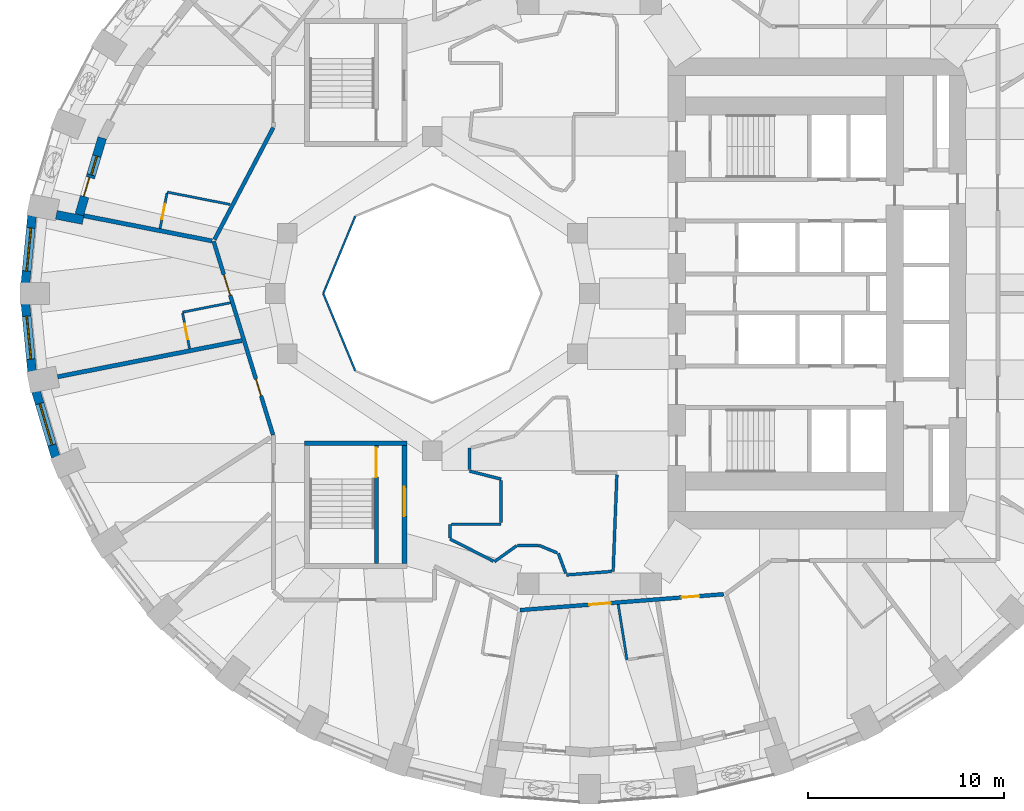
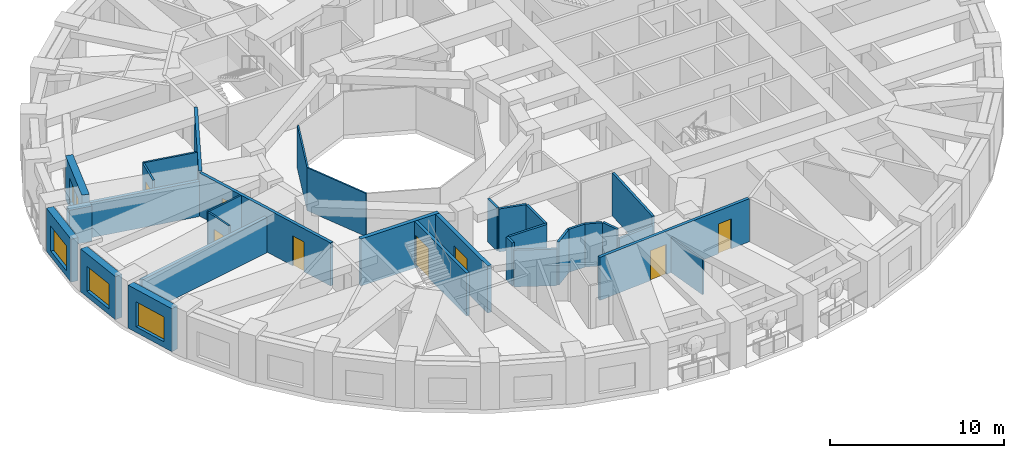
# One storey, part 4 of 13: 32 walls, 9 doors, 4 windows, 13 openings.
"""IFC4 building model written with IfcOpenShell, lengths in metres."""

from ifc_helpers import new_model, si_unit, direction, frame, frame_2d, origin, place, context, subcontext, project, spatial, rectangle, extrude, material, layer, layer_set, type_object, element, fill, save


model = new_model("IFC4")

# Units and contexts
model_context = context("Model", 3, precision=1e-05, world=origin(), true_north=direction((0.0, 1.0)))
body_context = subcontext(model_context, "Body", "Model", "MODEL_VIEW")
ifc_project = project(units=[si_unit("LENGTHUNIT", "METRE"), si_unit("AREAUNIT", "SQUARE_METRE"), si_unit("VOLUMEUNIT", "CUBIC_METRE"), si_unit("PLANEANGLEUNIT", "RADIAN"), si_unit("MASSUNIT", "GRAM", prefix="KILO")], contexts=[model_context])

# Site, building, storey
site_placement = place(None, origin())
site = spatial("IfcSite", under=ifc_project, at=site_placement, CompositionType="ELEMENT")
building_placement = place(site_placement, origin())
building = spatial("IfcBuilding", under=site, at=building_placement, Name="Taillehof Tower", CompositionType="ELEMENT")
storey_placement = place(building_placement, frame((0.0, 0.0, 38.199951171875)))
storey = spatial("IfcBuildingStorey", under=building, at=storey_placement, Name="L09", CompositionType="ELEMENT", Elevation=38.199951171875)

# Walls
ifc_material_1 = material(Name="Fire-resisting glass in steel frame", Category="steel")
ifc_layer_1 = layer(ifc_material_1, 0.10009765625)
ifc_layer_set_1 = layer_set([ifc_layer_1], Name="Atrium fire-resisting screen EI 60 100")
wall_type_1 = type_object("IfcWallType", Name="Atrium fire-resisting screen EI 60 100", PredefinedType="PARTITIONING", material=ifc_layer_set_1)
for number, where, z_axis, x_axis, name in (
    (1, (-11.92724609375, -3.92724609375, 0.0), (0.0, 0.0, 1.0), (-0.382730523909, 0.923860025149, 0.0), "Atrium screen"),
    (2, (-13.55419921875, 0.0, 0.0), (0.0, 0.0, 1.0), (0.382730523909, 0.923860025149, 0.0), "Atrium screen"),
):
    element("IfcWall", number, at=place(storey_placement, frame(where, z_axis=z_axis, x_axis=x_axis)), inside=storey, type_object=wall_type_1, Name=name, PredefinedType="PARTITIONING", context=body_context, shape_type="SweptSolid", body=[
        extrude(rectangle(XDim=4.2509765625, YDim=0.10009765625, at=frame_2d((2.12548828125, 0.0))), origin(), (0.0, 0.0, 1.0), 3.02001953125),
    ])

# Wall, opening, window
ifc_material_2 = material(Name="Brick masonry", Category="masonry")
ifc_layer_2 = layer(ifc_material_2, 0.449951171875)
ifc_layer_set_2 = layer_set([ifc_layer_2], Name="Brick infill wall 450")
wall_type_2 = type_object("IfcWallType", Name="Brick infill wall 450", PredefinedType="SOLIDWALL", material=ifc_layer_set_2)
wall_1_placement = place(storey_placement, frame((-28.38671875, 3.95556640625, 0.0), z_axis=(0.0, 0.0, 1.0), x_axis=(-0.097389581596, -0.995246336038, 0.0)))
wall_1 = element("IfcWall", 3, at=wall_1_placement, inside=storey, type_object=wall_type_2, Name="Brick wall L09 bay 18", PredefinedType="SOLIDWALL", context=body_context, shape_type="SweptSolid", body=[
    extrude(rectangle(XDim=3.44189453125, YDim=0.449951171875, at=frame_2d((1.720947265625, 0.0))), origin(), (0.0, 0.0, 1.0), 3.02001953125),
])
opening_1_placement = place(wall_1_placement, frame((0.62109375, 0.0, 0.39990234375)))
opening_1 = element("IfcOpeningElement", 4, at=opening_1_placement, cuts=wall_1, Name="Opening W1", PredefinedType="OPENING", context=body_context, shape_type="SweptSolid", body=[
    extrude(rectangle(XDim=2.199951171875, YDim=1.75, at=frame_2d((1.10009765625, 0.875))), frame((0.0, 0.23486328125, 0.0), z_axis=(0.0, -1.0, 0.0), x_axis=(1.0, 0.0, 0.0)), (0.0, 0.0, 1.0), 0.469970703125),
])
ifc_material_3 = material(Name="Aluminium window frame with clear double glazing", Category="aluminium")
window_type_1 = type_object("IfcWindowType", Name="Deep-set window 2200x1750", PartitioningType="SINGLE_PANEL", PredefinedType="WINDOW", material=ifc_material_3)
window_1_placement = place(opening_1_placement, origin())
window_1 = element("IfcWindow", 5, at=window_1_placement, inside=storey, type_object=window_type_1, Name="W1", OverallHeight=1.75, OverallWidth=2.199951171875, PartitioningType="SINGLE_PANEL", PredefinedType="WINDOW", context=body_context, shape_type="SweptSolid", body=[
    extrude(rectangle(XDim=2.199951171875, YDim=1.75, at=frame_2d((1.10009765625, 0.875))), frame((0.0, 0.034912109375, 0.0), z_axis=(0.0, -1.0, 0.0), x_axis=(1.0, 0.0, 0.0)), (0.0, 0.0, 1.0), 0.06005859375),
])
fill(opening_1, window_1)

wall_2_placement = place(storey_placement, frame((-28.721923828125, -0.530029296875, 0.0), z_axis=(0.0, 0.0, 1.0), x_axis=(0.097389581596, -0.995246336038, 0.0)))
wall_2 = element("IfcWall", 6, at=wall_2_placement, inside=storey, type_object=wall_type_2, Name="Brick wall L09 bay 19", PredefinedType="SOLIDWALL", context=body_context, shape_type="SweptSolid", body=[
    extrude(rectangle(XDim=3.44189453125, YDim=0.449951171875, at=frame_2d((1.720947265625, 0.0))), origin(), (0.0, 0.0, 1.0), 3.02001953125),
])
opening_2_placement = place(wall_2_placement, frame((0.62109375, 0.0, 0.39990234375)))
opening_2 = element("IfcOpeningElement", 7, at=opening_2_placement, cuts=wall_2, Name="Opening W1", PredefinedType="OPENING", context=body_context, shape_type="SweptSolid", body=[
    extrude(rectangle(XDim=2.199951171875, YDim=1.75, at=frame_2d((1.10009765625, 0.875))), frame((0.0, 0.23486328125, 0.0), z_axis=(0.0, -1.0, 0.0), x_axis=(1.0, 0.0, 0.0)), (0.0, 0.0, 1.0), 0.469970703125),
])
window_2_placement = place(opening_2_placement, origin())
window_2 = element("IfcWindow", 8, at=window_2_placement, inside=storey, type_object=window_type_1, Name="W1", OverallHeight=1.75, OverallWidth=2.199951171875, PartitioningType="SINGLE_PANEL", PredefinedType="WINDOW", context=body_context, shape_type="SweptSolid", body=[
    extrude(rectangle(XDim=2.199951171875, YDim=1.75, at=frame_2d((1.10009765625, 0.875))), frame((0.0, 0.034912109375, 0.0), z_axis=(0.0, -1.0, 0.0), x_axis=(1.0, 0.0, 0.0)), (0.0, 0.0, 1.0), 0.06005859375),
])
fill(opening_2, window_2)

wall_3_placement = place(storey_placement, frame((-28.181884765625, -4.995849609375, 0.0), z_axis=(0.0, 0.0, 1.0), x_axis=(0.287064133733, -0.957911364963, 0.0)))
wall_3 = element("IfcWall", 9, at=wall_3_placement, inside=storey, type_object=wall_type_2, Name="Brick wall L09 bay 20", PredefinedType="SOLIDWALL", context=body_context, shape_type="SweptSolid", body=[
    extrude(rectangle(XDim=3.473388671875, YDim=0.449951171875, at=frame_2d((1.73681640625, 0.0))), origin(), (0.0, 0.0, 1.0), 3.02001953125),
])
opening_3_placement = place(wall_3_placement, frame((0.63671875, 0.0, 0.39990234375)))
opening_3 = element("IfcOpeningElement", 10, at=opening_3_placement, cuts=wall_3, Name="Opening W1", PredefinedType="OPENING", context=body_context, shape_type="SweptSolid", body=[
    extrude(rectangle(XDim=2.199951171875, YDim=1.75, at=frame_2d((1.10009765625, 0.875))), frame((0.0, 0.23486328125, 0.0), z_axis=(0.0, -1.0, 0.0), x_axis=(1.0, 0.0, 0.0)), (0.0, 0.0, 1.0), 0.469970703125),
])
window_3_placement = place(opening_3_placement, origin())
window_3 = element("IfcWindow", 11, at=window_3_placement, inside=storey, type_object=window_type_1, Name="W1", OverallHeight=1.75, OverallWidth=2.199951171875, PartitioningType="SINGLE_PANEL", PredefinedType="WINDOW", context=body_context, shape_type="SweptSolid", body=[
    extrude(rectangle(XDim=2.199951171875, YDim=1.75, at=frame_2d((1.10009765625, 0.875))), frame((0.0, 0.034912109375, 0.0), z_axis=(0.0, -1.0, 0.0), x_axis=(1.0, 0.0, 0.0)), (0.0, 0.0, 1.0), 0.06005859375),
])
fill(opening_3, window_3)

# Wall
wall_4_placement = place(storey_placement, frame((-27.15087890625, 4.008544921875, 0.0), z_axis=(0.0, 0.0, 1.0), x_axis=(0.981197182729, -0.1930080014, 0.0)))
element("IfcWall", 12, at=wall_4_placement, inside=storey, type_object=wall_type_2, Name="Brick reveal L09 pocket 4", PredefinedType="SOLIDWALL", context=body_context, shape_type="SweptSolid", body=[
    extrude(rectangle(XDim=1.39013671875, YDim=0.449951171875, at=frame_2d((0.695068359375, 0.0))), origin(), (0.0, 0.0, 1.0), 2.469970703125),
])

# Wall, openings, door, window
wall_5_placement = place(storey_placement, frame((-24.811767578125, 7.92529296875, 0.0), z_axis=(0.0, 0.0, 1.0), x_axis=(-0.286389028326, -0.95811341941, 0.0)))
wall_5 = element("IfcWall", 13, at=wall_5_placement, inside=storey, type_object=wall_type_2, Name="Brick wall L09 pocket bay 17", PredefinedType="SOLIDWALL", context=body_context, shape_type="SweptSolid", body=[
    extrude(rectangle(XDim=4.08837890625, YDim=0.449951171875, at=frame_2d((2.044189453125, 0.0))), origin(), (0.0, 0.0, 1.0), 3.02001953125),
])
opening_4_placement = place(wall_5_placement, frame((0.96923828125, 0.0, 0.39990234375)))
opening_4 = element("IfcOpeningElement", 14, at=opening_4_placement, cuts=wall_5, Name="Opening W5", PredefinedType="OPENING", context=body_context, shape_type="SweptSolid", body=[
    extrude(rectangle(XDim=1.0, YDim=1.75, at=frame_2d((0.5, 0.875))), frame((0.0, 0.23486328125, 0.0), z_axis=(0.0, -1.0, 0.0), x_axis=(1.0, 0.0, 0.0)), (0.0, 0.0, 1.0), 0.469970703125),
])
opening_5_placement = place(wall_5_placement, frame((2.119140625, 0.0, 0.0)))
opening_5 = element("IfcOpeningElement", 15, at=opening_5_placement, cuts=wall_5, Name="Opening D0993", PredefinedType="OPENING", context=body_context, shape_type="SweptSolid", body=[
    extrude(rectangle(XDim=1.0, YDim=2.14990234375, at=frame_2d((0.5, 1.074951171875))), frame((0.0, 0.23486328125, 0.0), z_axis=(0.0, -1.0, 0.0), x_axis=(1.0, 0.0, 0.0)), (0.0, 0.0, 1.0), 0.469970703125),
])
ifc_material_4 = material(Name="Aluminium door frame with clear double glazing", Category="aluminium")
door_type_1 = type_object("IfcDoorType", Name="Balcony door 1000x2150", OperationType="SINGLE_SWING_RIGHT", PredefinedType="DOOR", material=ifc_material_4)
door_1_placement = place(opening_5_placement, frame((1.0, 0.0, 0.0), z_axis=(0.0, 0.0, 1.0), x_axis=(-1.0, 0.0, 0.0)))
door_1 = element("IfcDoor", 16, at=door_1_placement, inside=storey, type_object=door_type_1, Name="Balcony door L09 bay 17", OperationType="SINGLE_SWING_LEFT", OverallHeight=2.14990234375, OverallWidth=1.0, PredefinedType="DOOR", context=body_context, shape_type="SweptSolid", body=[
    extrude(rectangle(XDim=1.0, YDim=2.14990234375, at=frame_2d((0.5, 1.074951171875))), frame((0.0, 0.0751953125, 0.0), z_axis=(0.0, -1.0, 0.0), x_axis=(1.0, 0.0, 0.0)), (0.0, 0.0, 1.0), 0.050048828125),
])
fill(opening_5, door_1)
ifc_material_5 = material(Name="Aluminium window frame with clear double glazing", Category="aluminium")
window_type_2 = type_object("IfcWindowType", Name="Fixed window 1000x1750", PartitioningType="SINGLE_PANEL", PredefinedType="WINDOW", material=ifc_material_5)
window_4_placement = place(opening_4_placement, origin())
window_4 = element("IfcWindow", 17, at=window_4_placement, inside=storey, type_object=window_type_2, Name="W5", OverallHeight=1.75, OverallWidth=1.0, PartitioningType="SINGLE_PANEL", PredefinedType="WINDOW", context=body_context, shape_type="SweptSolid", body=[
    extrude(rectangle(XDim=1.0, YDim=1.75, at=frame_2d((0.5, 0.875))), frame((0.0, 0.034912109375, 0.0), z_axis=(0.0, -1.0, 0.0), x_axis=(1.0, 0.0, 0.0)), (0.0, 0.0, 1.0), 0.06005859375),
])
fill(opening_4, window_4)

# Wall, openings, doors
ifc_material_6 = material(Name="Gypsum board on steel studs, two layers each side", Category="steel")
ifc_layer_3 = layer(ifc_material_6, 0.199951171875)
ifc_layer_set_3 = layer_set([ifc_layer_3], Name="Compartment wall corridor 200")
wall_type_3 = type_object("IfcWallType", Name="Compartment wall corridor 200", PredefinedType="PARTITIONING", material=ifc_layer_set_3)
wall_6_placement = place(storey_placement, frame((6.84033203125, -15.31298828125, 0.0), z_axis=(0.0, 0.0, 1.0), x_axis=(-0.996968882229, -0.077801335898, 0.0)))
wall_6 = element("IfcWall", 18, at=wall_6_placement, inside=storey, type_object=wall_type_3, Name="Compartment wall", PredefinedType="PARTITIONING", context=body_context, shape_type="SweptSolid", body=[
    extrude(rectangle(XDim=10.40869140625, YDim=0.199951171875, at=frame_2d((5.204345703125, 0.0))), origin(), (0.0, 0.0, 1.0), 3.02001953125),
])
opening_6_placement = place(wall_6_placement, frame((5.7734375, 0.0, 0.0)))
opening_6 = element("IfcOpeningElement", 19, at=opening_6_placement, cuts=wall_6, Name="Opening D0957", PredefinedType="OPENING", context=body_context, shape_type="SweptSolid", body=[
    extrude(rectangle(XDim=1.10009765625, YDim=2.10009765625, at=frame_2d((0.550048828125, 1.050048828125))), frame((0.0, 0.10986328125, 0.0), z_axis=(0.0, -1.0, 0.0), x_axis=(1.0, 0.0, 0.0)), (0.0, 0.0, 1.0), 0.219970703125),
])
opening_7_placement = place(wall_6_placement, frame((1.255126953125, 0.0, 0.0)))
opening_7 = element("IfcOpeningElement", 20, at=opening_7_placement, cuts=wall_6, Name="Opening D0959", PredefinedType="OPENING", context=body_context, shape_type="SweptSolid", body=[
    extrude(rectangle(XDim=0.89990234375, YDim=2.10009765625, at=frame_2d((0.449951171875, 1.050048828125))), frame((0.0, 0.10986328125, 0.0), z_axis=(0.0, -1.0, 0.0), x_axis=(1.0, 0.0, 0.0)), (0.0, 0.0, 1.0), 0.219970703125),
])
ifc_material_7 = material(Name="Timber door leaf in steel frame", Category="steel")
door_type_2 = type_object("IfcDoorType", Name="Service room door EI 30 900 x 2100", OperationType="SINGLE_SWING_LEFT", PredefinedType="DOOR", material=ifc_material_7)
door_2_placement = place(opening_7_placement, origin())
door_2 = element("IfcDoor", 21, at=door_2_placement, inside=storey, type_object=door_type_2, Name="D0959", OperationType="SINGLE_SWING_RIGHT", OverallHeight=2.10009765625, OverallWidth=0.89990234375, PredefinedType="DOOR", context=body_context, shape_type="SweptSolid", body=[
    extrude(rectangle(XDim=0.89990234375, YDim=2.10009765625, at=frame_2d((0.449951171875, 1.050048828125))), frame((0.0, 0.02490234375, 0.0), z_axis=(0.0, -1.0, 0.0), x_axis=(1.0, 0.0, 0.0)), (0.0, 0.0, 1.0), 0.050048828125),
])
fill(opening_7, door_2)
ifc_material_8 = material(Name="Timber door leaf in steel frame", Category="steel")
door_type_3 = type_object("IfcDoorType", Name="Suite entrance door EI 30 1100 x 2100", OperationType="SINGLE_SWING_LEFT", PredefinedType="DOOR", material=ifc_material_8)
door_3_placement = place(opening_6_placement, origin())
door_3 = element("IfcDoor", 22, at=door_3_placement, inside=storey, type_object=door_type_3, Name="D0957", OperationType="SINGLE_SWING_LEFT", OverallHeight=2.10009765625, OverallWidth=1.10009765625, PredefinedType="DOOR", context=body_context, shape_type="SweptSolid", body=[
    extrude(rectangle(XDim=1.10009765625, YDim=2.10009765625, at=frame_2d((0.550048828125, 1.050048828125))), frame((0.0, 0.02490234375, 0.0), z_axis=(0.0, -1.0, 0.0), x_axis=(1.0, 0.0, 0.0)), (0.0, 0.0, 1.0), 0.050048828125),
])
fill(opening_6, door_3)

wall_7_placement = place(storey_placement, frame((-16.11181640625, -7.20263671875, 0.0), z_axis=(0.0, 0.0, 1.0), x_axis=(-0.293439067289, 0.95597777892, 0.0)))
wall_7 = element("IfcWall", 23, at=wall_7_placement, inside=storey, type_object=wall_type_3, Name="Compartment wall", PredefinedType="PARTITIONING", context=body_context, shape_type="SweptSolid", body=[
    extrude(rectangle(XDim=10.3193359375, YDim=0.199951171875, at=frame_2d((5.15966796875, 0.0))), origin(), (0.0, 0.0, 1.0), 3.02001953125),
])
opening_8_placement = place(wall_7_placement, frame((7.4443359375, 0.0, 0.0)))
opening_8 = element("IfcOpeningElement", 24, at=opening_8_placement, cuts=wall_7, Name="Opening D0950", PredefinedType="OPENING", context=body_context, shape_type="SweptSolid", body=[
    extrude(rectangle(XDim=1.10009765625, YDim=2.10009765625, at=frame_2d((0.550048828125, 1.050048828125))), frame((0.0, 0.10986328125, 0.0), z_axis=(0.0, -1.0, 0.0), x_axis=(1.0, 0.0, 0.0)), (0.0, 0.0, 1.0), 0.219970703125),
])
opening_9_placement = place(wall_7_placement, frame((2.080810546875, 0.0, 0.0)))
opening_9 = element("IfcOpeningElement", 25, at=opening_9_placement, cuts=wall_7, Name="Opening D0952", PredefinedType="OPENING", context=body_context, shape_type="SweptSolid", body=[
    extrude(rectangle(XDim=0.89990234375, YDim=2.10009765625, at=frame_2d((0.449951171875, 1.050048828125))), frame((0.0, 0.10986328125, 0.0), z_axis=(0.0, -1.0, 0.0), x_axis=(1.0, 0.0, 0.0)), (0.0, 0.0, 1.0), 0.219970703125),
])
door_4_placement = place(opening_9_placement, origin())
door_4 = element("IfcDoor", 26, at=door_4_placement, inside=storey, type_object=door_type_2, Name="D0952", OperationType="SINGLE_SWING_LEFT", OverallHeight=2.10009765625, OverallWidth=0.89990234375, PredefinedType="DOOR", context=body_context, shape_type="SweptSolid", body=[
    extrude(rectangle(XDim=0.89990234375, YDim=2.10009765625, at=frame_2d((0.449951171875, 1.050048828125))), frame((0.0, 0.02490234375, 0.0), z_axis=(0.0, -1.0, 0.0), x_axis=(1.0, 0.0, 0.0)), (0.0, 0.0, 1.0), 0.050048828125),
])
fill(opening_9, door_4)
door_5_placement = place(opening_8_placement, origin())
door_5 = element("IfcDoor", 27, at=door_5_placement, inside=storey, type_object=door_type_3, Name="D0950", OperationType="SINGLE_SWING_LEFT", OverallHeight=2.10009765625, OverallWidth=1.10009765625, PredefinedType="DOOR", context=body_context, shape_type="SweptSolid", body=[
    extrude(rectangle(XDim=1.10009765625, YDim=2.10009765625, at=frame_2d((0.550048828125, 1.050048828125))), frame((0.0, 0.02490234375, 0.0), z_axis=(0.0, -1.0, 0.0), x_axis=(1.0, 0.0, 0.0)), (0.0, 0.0, 1.0), 0.050048828125),
])
fill(opening_8, door_5)

# Walls
wall_8_placement = place(storey_placement, frame((-19.093505859375, 2.75146484375, 0.0), z_axis=(0.0, 0.0, 1.0), x_axis=(0.464994434802, 0.88531360297, 0.0)))
element("IfcWall", 28, at=wall_8_placement, inside=storey, type_object=wall_type_3, Name="Compartment wall", PredefinedType="PARTITIONING", context=body_context, shape_type="SweptSolid", body=[
    extrude(rectangle(XDim=6.4375, YDim=0.199951171875, at=frame_2d((3.21875, 0.0))), origin(), (0.0, 0.0, 1.0), 3.02001953125),
])
ifc_material_9 = material(Name="Gypsum board on double steel studs with mineral wool", Category="steel")
ifc_layer_4 = layer(ifc_material_9, 0.219970703125)
ifc_layer_set_4 = layer_set([ifc_layer_4], Name="Compartment wall guest room 220")
wall_type_4 = type_object("IfcWallType", Name="Compartment wall guest room 220", PredefinedType="PARTITIONING", material=ifc_layer_set_4)
wall_9_placement = place(storey_placement, frame((-25.760986328125, 3.96435546875, 0.0), z_axis=(0.0, 0.0, 1.0), x_axis=(0.981216162043, -0.192911490963, 0.0)))
element("IfcWall", 29, at=wall_9_placement, inside=storey, type_object=wall_type_4, Name="Compartment wall", PredefinedType="PARTITIONING", context=body_context, shape_type="SweptSolid", body=[
    extrude(rectangle(XDim=6.668212890625, YDim=0.219970703125, at=frame_2d((3.333984375, 0.0))), origin(), (0.0, 0.0, 1.0), 2.469970703125),
])
wall_10_placement = place(storey_placement, frame((-27.0849609375, -4.239990234375, 0.0), z_axis=(0.0, 0.0, 1.0), x_axis=(0.981199931552, 0.192994026651, 0.0)))
element("IfcWall", 30, at=wall_10_placement, inside=storey, type_object=wall_type_4, Name="Compartment wall", PredefinedType="PARTITIONING", context=body_context, shape_type="SweptSolid", body=[
    extrude(rectangle(XDim=9.55224609375, YDim=0.219970703125, at=frame_2d((4.776123046875, 0.0))), origin(), (0.0, 0.0, 1.0), 2.469970703125),
])
ifc_material_10 = material(Name="Gypsum board on steel studs, two layers each side", Category="steel")
ifc_layer_5 = layer(ifc_material_10, 0.14990234375)
ifc_layer_set_5 = layer_set([ifc_layer_5], Name="Compartment wall service room 150")
wall_type_5 = type_object("IfcWallType", Name="Compartment wall service room 150", PredefinedType="PARTITIONING", material=ifc_layer_set_5)
wall_11_placement = place(storey_placement, frame((-4.5, -9.449951171875, 0.0), z_axis=(0.0, 0.0, 1.0), x_axis=(-0.9698567074, 0.24367594693, 0.0)))
element("IfcWall", 31, at=wall_11_placement, inside=storey, type_object=wall_type_5, Name="Compartment wall", PredefinedType="PARTITIONING", context=body_context, shape_type="SweptSolid", body=[
    extrude(rectangle(XDim=1.662109375, YDim=0.14990234375, at=frame_2d((0.8310546875, 0.0))), origin(), (0.0, 0.0, 1.0), 3.02001953125),
])
wall_12_placement = place(storey_placement, frame((-6.111083984375, -8.96484375, 0.0), z_axis=(0.0, 0.0, 1.0), x_axis=(0.010095962879, 0.999949034468, 0.0)))
element("IfcWall", 32, at=wall_12_placement, inside=storey, type_object=wall_type_5, Name="Compartment wall", PredefinedType="PARTITIONING", context=body_context, shape_type="SweptSolid", body=[
    extrude(rectangle(XDim=1.088134765625, YDim=0.14990234375, at=frame_2d((0.5439453125, 0.0))), origin(), (0.0, 0.0, 1.0), 3.02001953125),
])
wall_13_placement = place(storey_placement, frame((1.39697265625, -9.22998046875, 0.0), z_axis=(0.0, 0.0, 1.0), x_axis=(-0.038741742932, -0.99924925687, 0.0)))
element("IfcWall", 33, at=wall_13_placement, inside=storey, type_object=wall_type_5, Name="Compartment wall", PredefinedType="PARTITIONING", context=body_context, shape_type="SweptSolid", body=[
    extrude(rectangle(XDim=4.921630859375, YDim=0.14990234375, at=frame_2d((2.4609375, 0.0))), origin(), (0.0, 0.0, 1.0), 3.02001953125),
])
wall_14_placement = place(storey_placement, frame((1.126220703125, -14.15380859375, 0.0), z_axis=(0.0, 0.0, 1.0), x_axis=(-0.996959190057, -0.077925434624, 0.0)))
element("IfcWall", 34, at=wall_14_placement, inside=storey, type_object=wall_type_5, Name="Compartment wall", PredefinedType="PARTITIONING", context=body_context, shape_type="SweptSolid", body=[
    extrude(rectangle(XDim=2.30908203125, YDim=0.14990234375, at=frame_2d((1.154541015625, 0.0))), origin(), (0.0, 0.0, 1.0), 2.420166015625),
])
wall_15_placement = place(storey_placement, frame((-1.2041015625, -14.258544921875, 0.0), z_axis=(0.0, 0.0, 1.0), x_axis=(-0.348483202919, 0.937315025636, 0.0)))
element("IfcWall", 35, at=wall_15_placement, inside=storey, type_object=wall_type_5, Name="Compartment wall", PredefinedType="PARTITIONING", context=body_context, shape_type="SweptSolid", body=[
    extrude(rectangle(XDim=1.094970703125, YDim=0.14990234375, at=frame_2d((0.54736328125, 0.0))), origin(), (0.0, 0.0, 1.0), 3.02001953125),
])
wall_16_placement = place(storey_placement, frame((-1.641357421875, -13.20947265625, 0.0), z_axis=(0.0, 0.0, 1.0), x_axis=(-0.923725449546, 0.383055209937, 0.0)))
element("IfcWall", 36, at=wall_16_placement, inside=storey, type_object=wall_type_5, Name="Compartment wall", PredefinedType="PARTITIONING", context=body_context, shape_type="SweptSolid", body=[
    extrude(rectangle(XDim=1.011474609375, YDim=0.14990234375, at=frame_2d((0.505859375, 0.0))), origin(), (0.0, 0.0, 1.0), 3.02001953125),
])
wall_17_placement = place(storey_placement, frame((-2.595703125, -12.822021484375, 0.0), z_axis=(0.0, 0.0, 1.0), x_axis=(-1.0, 0.0, 0.0)))
element("IfcWall", 37, at=wall_17_placement, inside=storey, type_object=wall_type_5, Name="Compartment wall", PredefinedType="PARTITIONING", context=body_context, shape_type="SweptSolid", body=[
    extrude(rectangle(XDim=1.080078125, YDim=0.14990234375, at=frame_2d((0.5400390625, 0.0))), origin(), (0.0, 0.0, 1.0), 3.02001953125),
])
wall_18_placement = place(storey_placement, frame((-3.70849609375, -12.845458984375, 0.0), z_axis=(0.0, 0.0, 1.0), x_axis=(-0.812857190658, -0.58246303539, 0.0)))
element("IfcWall", 38, at=wall_18_placement, inside=storey, type_object=wall_type_5, Name="Compartment wall", PredefinedType="PARTITIONING", context=body_context, shape_type="SweptSolid", body=[
    extrude(rectangle(XDim=1.39453125, YDim=0.14990234375, at=frame_2d((0.697265625, 0.0))), origin(), (0.0, 0.0, 1.0), 3.02001953125),
])
wall_19_placement = place(storey_placement, frame((-4.8955078125, -13.630615234375, 0.0), z_axis=(0.0, 0.0, 1.0), x_axis=(-0.890208185307, 0.455553934032, 0.0)))
element("IfcWall", 39, at=wall_19_placement, inside=storey, type_object=wall_type_5, Name="Compartment wall", PredefinedType="PARTITIONING", context=body_context, shape_type="SweptSolid", body=[
    extrude(rectangle(XDim=2.4765625, YDim=0.14990234375, at=frame_2d((1.23828125, 0.0))), origin(), (0.0, 0.0, 1.0), 2.570068359375),
])
wall_20_placement = place(storey_placement, frame((-7.10009765625, -12.4423828125, 0.0), z_axis=(0.0, 0.0, 1.0), x_axis=(0.0, 1.0, 0.0)))
element("IfcWall", 40, at=wall_20_placement, inside=storey, type_object=wall_type_5, Name="Compartment wall", PredefinedType="PARTITIONING", context=body_context, shape_type="SweptSolid", body=[
    extrude(rectangle(XDim=0.6923828125, YDim=0.14990234375, at=frame_2d((0.34619140625, 0.0))), origin(), (0.0, 0.0, 1.0), 3.02001953125),
])
wall_21_placement = place(storey_placement, frame((-7.02001953125, -11.75, 0.0), z_axis=(0.0, 0.0, 1.0), x_axis=(1.0, 0.0, 0.0)))
element("IfcWall", 41, at=wall_21_placement, inside=storey, type_object=wall_type_5, Name="Compartment wall", PredefinedType="PARTITIONING", context=body_context, shape_type="SweptSolid", body=[
    extrude(rectangle(XDim=2.52001953125, YDim=0.14990234375, at=frame_2d((1.260009765625, 0.0))), origin(), (0.0, 0.0, 1.0), 3.02001953125),
])
wall_22_placement = place(storey_placement, frame((-4.5, -11.669921875, 0.0), z_axis=(0.0, 0.0, 1.0), x_axis=(0.0, 1.0, 0.0)))
element("IfcWall", 42, at=wall_22_placement, inside=storey, type_object=wall_type_5, Name="Compartment wall", PredefinedType="PARTITIONING", context=body_context, shape_type="SweptSolid", body=[
    extrude(rectangle(XDim=2.139892578125, YDim=0.14990234375, at=frame_2d((1.06982421875, 0.0))), origin(), (0.0, 0.0, 1.0), 3.02001953125),
])
ifc_material_11 = material(Name="Gypsum board on steel studs, moisture resistant", Category="steel")
ifc_layer_6 = layer(ifc_material_11, 0.1201171875)
ifc_layer_set_6 = layer_set([ifc_layer_6], Name="En-suite wall 120")
wall_type_6 = type_object("IfcWallType", Name="En-suite wall 120", PredefinedType="PARTITIONING", material=ifc_layer_set_6)
wall_23_placement = place(storey_placement, frame((-18.29150390625, 4.53369140625, 0.0), z_axis=(0.0, 0.0, 1.0), x_axis=(-0.981198627208, 0.193000657942, 0.0)))
element("IfcWall", 43, at=wall_23_placement, inside=storey, type_object=wall_type_6, Name="En-suite wall", PredefinedType="PARTITIONING", context=body_context, shape_type="SweptSolid", body=[
    extrude(rectangle(XDim=3.271240234375, YDim=0.1201171875, at=frame_2d((1.6357421875, 0.0))), origin(), (0.0, 0.0, 1.0), 3.02001953125),
])
wall_24_placement = place(storey_placement, frame((-18.282958984375, -0.470458984375, 0.0), z_axis=(0.0, 0.0, 1.0), x_axis=(-0.981208753495, -0.192949169643, 0.0)))
element("IfcWall", 44, at=wall_24_placement, inside=storey, type_object=wall_type_6, Name="En-suite wall", PredefinedType="PARTITIONING", context=body_context, shape_type="SweptSolid", body=[
    extrude(rectangle(XDim=2.491455078125, YDim=0.1201171875, at=frame_2d((1.24560546875, 0.0))), origin(), (0.0, 0.0, 1.0), 3.02001953125),
])
wall_25_placement = place(storey_placement, frame((1.466064453125, -15.8330078125, 0.0), z_axis=(0.0, 0.0, 1.0), x_axis=(0.156164367571, -0.987731081976, 0.0)))
element("IfcWall", 45, at=wall_25_placement, inside=storey, type_object=wall_type_6, Name="En-suite wall", PredefinedType="PARTITIONING", context=body_context, shape_type="SweptSolid", body=[
    extrude(rectangle(XDim=2.85791015625, YDim=0.1201171875, at=frame_2d((1.428955078125, 0.0))), origin(), (0.0, 0.0, 1.0), 2.469970703125),
])

# Wall, opening, door
wall_26_placement = place(storey_placement, frame((-21.512939453125, 5.1064453125, 0.0), z_axis=(0.0, 0.0, 1.0), x_axis=(-0.19288291118, -0.981221780524, 0.0)))
wall_26 = element("IfcWall", 46, at=wall_26_placement, inside=storey, type_object=wall_type_6, Name="En-suite wall", PredefinedType="PARTITIONING", context=body_context, shape_type="SweptSolid", body=[
    extrude(rectangle(XDim=1.830322265625, YDim=0.1201171875, at=frame_2d((0.9150390625, 0.0))), origin(), (0.0, 0.0, 1.0), 3.02001953125),
])
opening_10_placement = place(wall_26_placement, frame((0.540283203125, 0.0, 0.0)))
opening_10 = element("IfcOpeningElement", 47, at=opening_10_placement, cuts=wall_26, Name="Opening D0949", PredefinedType="OPENING", context=body_context, shape_type="SweptSolid", body=[
    extrude(rectangle(XDim=0.800048828125, YDim=2.10009765625, at=frame_2d((0.39990234375, 1.050048828125))), frame((0.0, 0.070068359375, 0.0), z_axis=(0.0, -1.0, 0.0), x_axis=(1.0, 0.0, 0.0)), (0.0, 0.0, 1.0), 0.14013671875),
])
ifc_material_12 = material(Name="Timber door leaf in steel frame", Category="steel")
door_type_4 = type_object("IfcDoorType", Name="En-suite door 800 x 2100", OperationType="SINGLE_SWING_LEFT", PredefinedType="DOOR", material=ifc_material_12)
door_6_placement = place(opening_10_placement, origin())
door_6 = element("IfcDoor", 48, at=door_6_placement, inside=storey, type_object=door_type_4, Name="D0949", OperationType="SINGLE_SWING_LEFT", OverallHeight=2.10009765625, OverallWidth=0.800048828125, PredefinedType="DOOR", context=body_context, shape_type="SweptSolid", body=[
    extrude(rectangle(XDim=0.800048828125, YDim=2.10009765625, at=frame_2d((0.39990234375, 1.050048828125))), frame((0.0, 0.02490234375, 0.0), z_axis=(0.0, -1.0, 0.0), x_axis=(1.0, 0.0, 0.0)), (0.0, 0.0, 1.0), 0.050048828125),
])
fill(opening_10, door_6)

wall_27_placement = place(storey_placement, frame((-20.716064453125, -1.010009765625, 0.0), z_axis=(0.0, 0.0, 1.0), x_axis=(0.193036598643, -0.981191557029, 0.0)))
wall_27 = element("IfcWall", 49, at=wall_27_placement, inside=storey, type_object=wall_type_6, Name="En-suite wall", PredefinedType="PARTITIONING", context=body_context, shape_type="SweptSolid", body=[
    extrude(rectangle(XDim=1.830078125, YDim=0.1201171875, at=frame_2d((0.9150390625, 0.0))), origin(), (0.0, 0.0, 1.0), 3.02001953125),
])
opening_11_placement = place(wall_27_placement, frame((0.5400390625, 0.0, 0.0)))
opening_11 = element("IfcOpeningElement", 50, at=opening_11_placement, cuts=wall_27, Name="Opening D0951", PredefinedType="OPENING", context=body_context, shape_type="SweptSolid", body=[
    extrude(rectangle(XDim=0.800048828125, YDim=2.10009765625, at=frame_2d((0.39990234375, 1.050048828125))), frame((0.0, 0.070068359375, 0.0), z_axis=(0.0, -1.0, 0.0), x_axis=(1.0, 0.0, 0.0)), (0.0, 0.0, 1.0), 0.14013671875),
])
door_7_placement = place(opening_11_placement, origin())
door_7 = element("IfcDoor", 51, at=door_7_placement, inside=storey, type_object=door_type_4, Name="D0951", OperationType="SINGLE_SWING_LEFT", OverallHeight=2.10009765625, OverallWidth=0.800048828125, PredefinedType="DOOR", context=body_context, shape_type="SweptSolid", body=[
    extrude(rectangle(XDim=0.800048828125, YDim=2.10009765625, at=frame_2d((0.39990234375, 1.050048828125))), frame((0.0, 0.02490234375, 0.0), z_axis=(0.0, -1.0, 0.0), x_axis=(1.0, 0.0, 0.0)), (0.0, 0.0, 1.0), 0.050048828125),
])
fill(opening_11, door_7)

ifc_material_13 = material(Name="Concrete C50/60", Category="concrete")
ifc_layer_7 = layer(ifc_material_13, 0.199951171875)
ifc_layer_set_7 = layer_set([ifc_layer_7], Name="Shaft wall C50/60 200")
wall_type_7 = type_object("IfcWallType", Name="Shaft wall C50/60 200", PredefinedType="SHEAR", material=ifc_layer_set_7)
wall_28_placement = place(storey_placement, frame((-10.85009765625, -13.75, 0.0), z_axis=(0.0, 0.0, 1.0), x_axis=(0.0, 1.0, 0.0)))
wall_28 = element("IfcWall", 52, at=wall_28_placement, inside=storey, type_object=wall_type_7, Name="Shaft wall SW", PredefinedType="SHEAR", context=body_context, shape_type="SweptSolid", body=[
    extrude(rectangle(XDim=6.0, YDim=0.199951171875, at=frame_2d((3.0, 0.0))), origin(), (0.0, 0.0, 1.0), 3.02001953125),
])
opening_12_placement = place(wall_28_placement, frame((4.39990234375, 0.0, 0.0)))
opening_12 = element("IfcOpeningElement", 53, at=opening_12_placement, cuts=wall_28, Name="Opening D0913", PredefinedType="OPENING", context=body_context, shape_type="SweptSolid", body=[
    extrude(rectangle(XDim=1.5, YDim=2.10009765625, at=frame_2d((0.75, 1.050048828125))), frame((0.0, 0.10986328125, 0.0), z_axis=(0.0, -1.0, 0.0), x_axis=(1.0, 0.0, 0.0)), (0.0, 0.0, 1.0), 0.219970703125),
])
ifc_material_14 = material(Name="Steel-faced fire door", Category="steel")
door_type_5 = type_object("IfcDoorType", Name="Stair door 1500x2100", OperationType="DOUBLE_DOOR_SINGLE_SWING", PredefinedType="DOOR", material=ifc_material_14)
door_8_placement = place(opening_12_placement, origin())
door_8 = element("IfcDoor", 54, at=door_8_placement, inside=storey, type_object=door_type_5, Name="Stair lobby door S4", OperationType="DOUBLE_DOOR_SINGLE_SWING", OverallHeight=2.10009765625, OverallWidth=1.5, PredefinedType="DOOR", context=body_context, shape_type="SweptSolid", body=[
    extrude(rectangle(XDim=1.5, YDim=2.10009765625, at=frame_2d((0.75, 1.050048828125))), frame((0.0, 0.02490234375, 0.0), z_axis=(0.0, -1.0, 0.0), x_axis=(1.0, 0.0, 0.0)), (0.0, 0.0, 1.0), 0.050048828125),
])
fill(opening_12, door_8)

ifc_material_15 = material(Name="Concrete C50/60", Category="concrete")
ifc_layer_8 = layer(ifc_material_15, 0.25)
ifc_layer_set_8 = layer_set([ifc_layer_8], Name="Stair wall C50/60 250")
wall_type_8 = type_object("IfcWallType", Name="Stair wall C50/60 250", PredefinedType="SHEAR", material=ifc_layer_set_8)
wall_29_placement = place(storey_placement, frame((-9.425048828125, -13.75, -0.280029296875), z_axis=(0.0, 0.0, 1.0), x_axis=(0.0, 1.0, 0.0)))
wall_29 = element("IfcWall", 55, at=wall_29_placement, inside=storey, type_object=wall_type_8, Name="Stair wall SC", PredefinedType="SHEAR", context=body_context, shape_type="SweptSolid", body=[
    extrude(rectangle(XDim=6.0, YDim=0.25, at=frame_2d((3.0, 0.0))), origin(), (0.0, 0.0, 1.0), 3.300048828125),
])
opening_13_placement = place(wall_29_placement, frame((2.39990234375, 0.0, 0.280029296875)))
opening_13 = element("IfcOpeningElement", 56, at=opening_13_placement, cuts=wall_29, Name="Opening D0920", PredefinedType="OPENING", context=body_context, shape_type="SweptSolid", body=[
    extrude(rectangle(XDim=1.5, YDim=2.10009765625, at=frame_2d((0.75, 1.050048828125))), frame((0.0, 0.135009765625, 0.0), z_axis=(0.0, -1.0, 0.0), x_axis=(1.0, 0.0, 0.0)), (0.0, 0.0, 1.0), 0.27001953125),
])
door_9_placement = place(opening_13_placement, origin())
door_9 = element("IfcDoor", 57, at=door_9_placement, inside=storey, type_object=door_type_5, Name="Stair door S4", OperationType="DOUBLE_DOOR_SINGLE_SWING", OverallHeight=2.10009765625, OverallWidth=1.5, PredefinedType="DOOR", context=body_context, shape_type="SweptSolid", body=[
    extrude(rectangle(XDim=1.5, YDim=2.10009765625, at=frame_2d((0.75, 1.050048828125))), frame((0.0, 0.02490234375, 0.0), z_axis=(0.0, -1.0, 0.0), x_axis=(1.0, 0.0, 0.0)), (0.0, 0.0, 1.0), 0.050048828125),
])
fill(opening_13, door_9)

# Wall
wall_30_placement = place(storey_placement, frame((-14.5, -7.625, -0.280029296875), z_axis=(0.0, 0.0, 1.0), x_axis=(1.0, 0.0, 0.0)))
element("IfcWall", 58, at=wall_30_placement, inside=storey, type_object=wall_type_8, Name="Stair wall SC", PredefinedType="SHEAR", context=body_context, shape_type="SweptSolid", body=[
    extrude(rectangle(XDim=5.199951171875, YDim=0.25, at=frame_2d((2.60009765625, 0.0))), origin(), (0.0, 0.0, 1.0), 3.300048828125),
])

save(model, "model.ifc")
